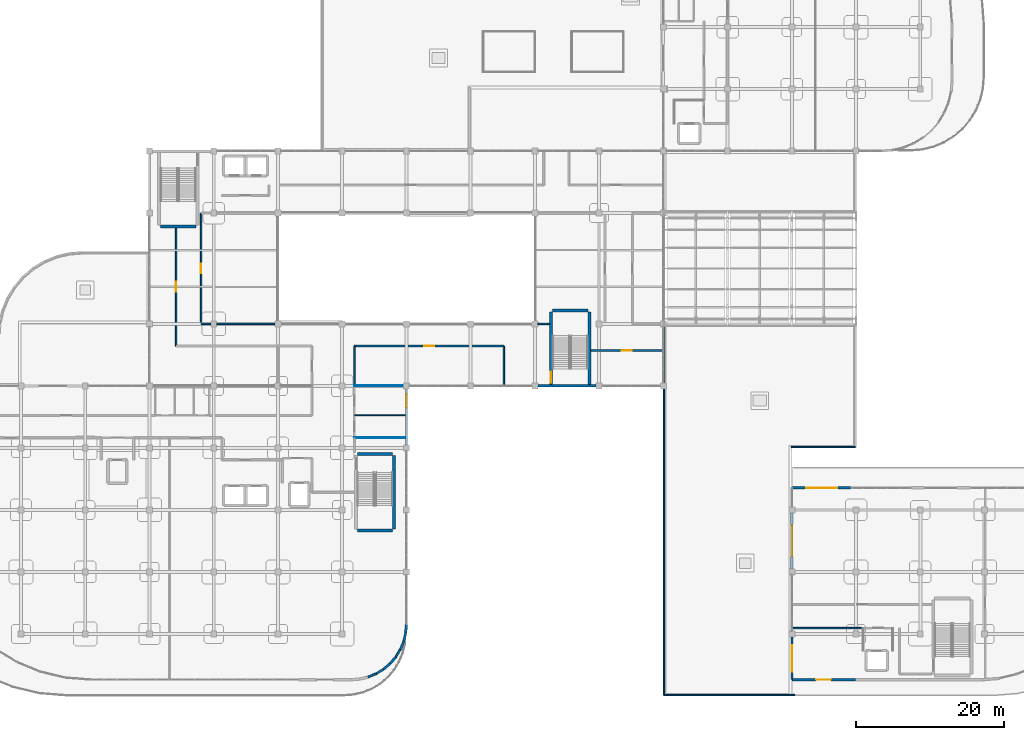
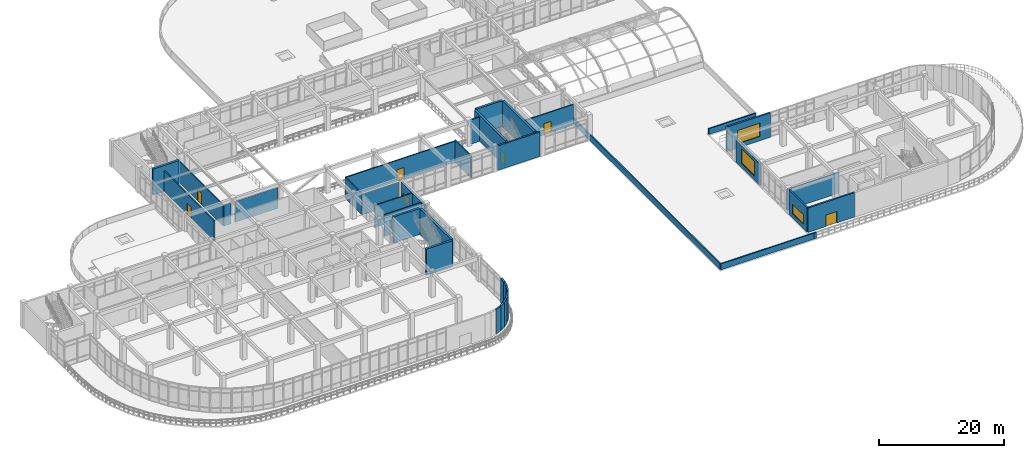
# One storey, part 106 of 124: 38 walls, 6 doors, 4 windows, 10 openings.
"""IFC4 building model written with IfcOpenShell, lengths in metres."""

from ifc_helpers import new_model, si_unit, derived_unit, direction, frame, frame_2d, origin, place, context, subcontext, project, spatial, rectangle, extrude, material, layer, layer_set, type_object, element, fill, save


model = new_model("IFC4")

# Units and contexts
model_context = context("Model", 3, precision=1e-05, world=origin(), true_north=direction((0.0, 1.0)))
body_context = subcontext(model_context, "Body", "Model", "MODEL_VIEW")
ifc_project = project(units=[si_unit("LENGTHUNIT", "METRE"), si_unit("AREAUNIT", "SQUARE_METRE"), si_unit("VOLUMEUNIT", "CUBIC_METRE"), si_unit("PLANEANGLEUNIT", "RADIAN"), si_unit("MASSUNIT", "GRAM", prefix="KILO"), derived_unit("THERMALTRANSMITTANCEUNIT", [(si_unit("MASSUNIT", "GRAM", prefix="KILO"), 1), (si_unit("TIMEUNIT", "SECOND"), -3), (si_unit("THERMODYNAMICTEMPERATUREUNIT", "KELVIN"), -1)])], contexts=[model_context])

# Site, building, storey
site_placement = place(None, origin())
site = spatial("IfcSite", under=ifc_project, at=site_placement, CompositionType="ELEMENT")
building_placement = place(site_placement, origin())
building = spatial("IfcBuilding", under=site, at=building_placement, Name="Qinzheling Arcade Emporium", CompositionType="ELEMENT")
storey_placement = place(building_placement, frame((0.0, 0.0, 16.5)))
storey = spatial("IfcBuildingStorey", under=building, at=storey_placement, Name="L04", CompositionType="ELEMENT", Elevation=16.5)

# Wall
ifc_material_1 = material(Name="Double-stud acoustic gypsum board partition")
ifc_layer_1 = layer(ifc_material_1, 0.215087890625, Name="Double-stud acoustic gypsum board partition")
ifc_layer_set_1 = layer_set([ifc_layer_1], Name="Double-stud acoustic gypsum board partition")
wall_type_1 = type_object("IfcWallType", Name="Acoustic Corridor Partition Wall 215", PredefinedType="PARTITIONING", material=ifc_layer_set_1)
wall_1_placement = place(storey_placement, frame((131.5, 9.199951171875, 0.0), z_axis=(0.0, 0.0, 1.0), x_axis=(-1.0, 0.0, 0.0)))
element("IfcWall", 1, at=wall_1_placement, inside=storey, type_object=wall_type_1, Name="Interior Wall WL-L04-INT-0622", PredefinedType="PARTITIONING", context=body_context, shape_type="SweptSolid", body=[
    extrude(rectangle(XDim=9.60009765625, YDim=0.215087890625, at=frame_2d((4.800048828125, 0.0))), origin(), (0.0, 0.0, 1.0), 4.044921875),
])

# Wall, opening, door
wall_2_placement = place(storey_placement, frame((38.39990234375, 47.39990234375, 0.0), z_axis=(0.0, 0.0, 1.0), x_axis=(0.0, 1.0, 0.0)))
wall_2 = element("IfcWall", 2, at=wall_2_placement, inside=storey, type_object=wall_type_1, Name="Interior Wall WL-L04-INT-0652", PredefinedType="PARTITIONING", context=body_context, shape_type="SweptSolid", body=[
    extrude(rectangle(XDim=15.9951171875, YDim=0.215087890625, at=frame_2d((7.99755859375, 0.0))), origin(), (0.0, 0.0, 1.0), 4.06005859375),
])
opening_1_placement = place(wall_2_placement, frame((7.322998046875, 0.0, 0.0)))
opening_1 = element("IfcOpeningElement", 3, at=opening_1_placement, cuts=wall_2, Name="Opening FD05", PredefinedType="OPENING", context=body_context, shape_type="SweptSolid", body=[
    extrude(rectangle(XDim=1.35009765625, YDim=2.199951171875, at=frame_2d((0.675048828125, 1.10009765625))), frame((0.0, 0.11767578125, 0.0), z_axis=(0.0, -1.0, 0.0), x_axis=(1.0, 0.0, 0.0)), (0.0, 0.0, 1.0), 0.235107421875),
])
ifc_material_2 = material(Name="Class B fire-rated stainless-clad door")
door_type_1 = type_object("IfcDoorType", Name="Kitchen Fire-Rated Service Door 1350x2200", OperationType="NOTDEFINED", PredefinedType="DOOR", material=ifc_material_2)
door_1_placement = place(opening_1_placement, origin())
door_1 = element("IfcDoor", 4, at=door_1_placement, inside=storey, type_object=door_type_1, Name="FD05 Interior Door DR-L04-INT-0179", OperationType="SINGLE_SWING_RIGHT", OverallHeight=2.199951171875, OverallWidth=1.35009765625, PredefinedType="DOOR", context=body_context, shape_type="SweptSolid", body=[
    extrude(rectangle(XDim=1.35009765625, YDim=2.199951171875, at=frame_2d((0.675048828125, 1.10009765625))), frame((0.0, 0.02490234375, 0.0), z_axis=(0.0, -1.0, 0.0), x_axis=(1.0, 0.0, 0.0)), (0.0, 0.0, 1.0), 0.050048828125),
])
fill(opening_1, door_1)

wall_3_placement = place(storey_placement, frame((41.800048828125, 65.39990234375, 0.0), z_axis=(0.0, 0.0, 1.0), x_axis=(0.0, -1.0, 0.0)))
wall_3 = element("IfcWall", 5, at=wall_3_placement, inside=storey, type_object=wall_type_1, Name="Interior Wall WL-L04-INT-0655", PredefinedType="PARTITIONING", context=body_context, shape_type="SweptSolid", body=[
    extrude(rectangle(XDim=15.0, YDim=0.215087890625, at=frame_2d((7.5, 0.0))), origin(), (0.0, 0.0, 1.0), 4.06005859375),
])
opening_2_placement = place(wall_3_placement, frame((6.824951171875, 0.0, 0.0)))
opening_2 = element("IfcOpeningElement", 6, at=opening_2_placement, cuts=wall_3, Name="Opening FD05", PredefinedType="OPENING", context=body_context, shape_type="SweptSolid", body=[
    extrude(rectangle(XDim=1.35009765625, YDim=2.199951171875, at=frame_2d((0.675048828125, 1.10009765625))), frame((0.0, 0.11767578125, 0.0), z_axis=(0.0, -1.0, 0.0), x_axis=(1.0, 0.0, 0.0)), (0.0, 0.0, 1.0), 0.235107421875),
])
door_2_placement = place(opening_2_placement, origin())
door_2 = element("IfcDoor", 7, at=door_2_placement, inside=storey, type_object=door_type_1, Name="FD05 Interior Door DR-L04-INT-0180", OperationType="SINGLE_SWING_LEFT", OverallHeight=2.199951171875, OverallWidth=1.35009765625, PredefinedType="DOOR", context=body_context, shape_type="SweptSolid", body=[
    extrude(rectangle(XDim=1.35009765625, YDim=2.199951171875, at=frame_2d((0.675048828125, 1.10009765625))), frame((0.0, 0.02490234375, 0.0), z_axis=(0.0, -1.0, 0.0), x_axis=(1.0, 0.0, 0.0)), (0.0, 0.0, 1.0), 0.050048828125),
])
fill(opening_2, door_2)

# Walls
wall_4_placement = place(storey_placement, frame((41.800048828125, 50.39990234375, 0.0), z_axis=(0.0, 0.0, 1.0), x_axis=(1.0, 0.0, 0.0)))
element("IfcWall", 8, at=wall_4_placement, inside=storey, type_object=wall_type_1, Name="Interior Wall WL-L04-INT-0656", PredefinedType="PARTITIONING", context=body_context, shape_type="SweptSolid", body=[
    extrude(rectangle(XDim=1.2900390625, YDim=0.215087890625, at=frame_2d((0.64501953125, 0.0))), origin(), (0.0, 0.0, 1.0), 4.06005859375),
])
wall_5_placement = place(storey_placement, frame((43.909912109375, 50.39990234375, 0.0), z_axis=(0.0, 0.0, 1.0), x_axis=(1.0, 0.0, 0.0)))
element("IfcWall", 9, at=wall_5_placement, inside=storey, type_object=wall_type_1, Name="Interior Wall WL-L04-INT-0657", PredefinedType="PARTITIONING", context=body_context, shape_type="SweptSolid", body=[
    extrude(rectangle(XDim=7.880126953125, YDim=0.215087890625, at=frame_2d((3.93994140625, 0.0))), origin(), (0.0, 0.0, 1.0), 4.06005859375),
])

# Wall, opening, door
wall_6_placement = place(storey_placement, frame((104.300048828125, 46.800048828125, 0.0), z_axis=(0.0, 0.0, 1.0), x_axis=(-1.0, 0.0, 0.0)))
wall_6 = element("IfcWall", 10, at=wall_6_placement, inside=storey, type_object=wall_type_1, Name="Interior Wall WL-L04-INT-0658", PredefinedType="PARTITIONING", context=body_context, shape_type="SweptSolid", body=[
    extrude(rectangle(XDim=9.705078125, YDim=0.215087890625, at=frame_2d((4.8525390625, 0.0))), origin(), (0.0, 0.0, 1.0), 4.06005859375),
])
opening_3_placement = place(wall_6_placement, frame((4.177001953125, 0.0, 0.0)))
opening_3 = element("IfcOpeningElement", 11, at=opening_3_placement, cuts=wall_6, Name="Opening FD05", PredefinedType="OPENING", context=body_context, shape_type="SweptSolid", body=[
    extrude(rectangle(XDim=1.35009765625, YDim=2.199951171875, at=frame_2d((0.675048828125, 1.10009765625))), frame((0.0, 0.11767578125, 0.0), z_axis=(0.0, -1.0, 0.0), x_axis=(1.0, 0.0, 0.0)), (0.0, 0.0, 1.0), 0.235107421875),
])
door_3_placement = place(opening_3_placement, origin())
door_3 = element("IfcDoor", 12, at=door_3_placement, inside=storey, type_object=door_type_1, Name="FD05 Interior Door DR-L04-INT-0181", OperationType="SINGLE_SWING_RIGHT", OverallHeight=2.199951171875, OverallWidth=1.35009765625, PredefinedType="DOOR", context=body_context, shape_type="SweptSolid", body=[
    extrude(rectangle(XDim=1.35009765625, YDim=2.199951171875, at=frame_2d((0.675048828125, 1.10009765625))), frame((0.0, 0.02490234375, 0.0), z_axis=(0.0, -1.0, 0.0), x_axis=(1.0, 0.0, 0.0)), (0.0, 0.0, 1.0), 0.050048828125),
])
fill(opening_3, door_3)

# Wall
wall_7_placement = place(storey_placement, frame((82.800048828125, 42.10009765625, 0.0), z_axis=(0.0, 0.0, 1.0), x_axis=(0.0, 1.0, 0.0)))
element("IfcWall", 13, at=wall_7_placement, inside=storey, type_object=wall_type_1, Name="Interior Wall WL-L04-INT-0659", PredefinedType="PARTITIONING", context=body_context, shape_type="SweptSolid", body=[
    extrude(rectangle(XDim=5.2998046875, YDim=0.215087890625, at=frame_2d((2.64990234375, 0.0))), origin(), (0.0, 0.0, 1.0), 4.260009765625),
])

# Wall, opening, door
wall_8_placement = place(storey_placement, frame((82.800048828125, 47.39990234375, 0.0), z_axis=(0.0, 0.0, 1.0), x_axis=(-1.0, 0.0, 0.0)))
wall_8 = element("IfcWall", 14, at=wall_8_placement, inside=storey, type_object=wall_type_1, Name="Interior Wall WL-L04-INT-0660", PredefinedType="PARTITIONING", context=body_context, shape_type="SweptSolid", body=[
    extrude(rectangle(XDim=20.25, YDim=0.215087890625, at=frame_2d((10.125, 0.0))), origin(), (0.0, 0.0, 1.0), 4.06005859375),
])
opening_4_placement = place(wall_8_placement, frame((9.449951171875, 0.0, 0.0)))
opening_4 = element("IfcOpeningElement", 15, at=opening_4_placement, cuts=wall_8, Name="Opening FD05", PredefinedType="OPENING", context=body_context, shape_type="SweptSolid", body=[
    extrude(rectangle(XDim=1.35009765625, YDim=2.199951171875, at=frame_2d((0.675048828125, 1.10009765625))), frame((0.0, 0.11767578125, 0.0), z_axis=(0.0, -1.0, 0.0), x_axis=(1.0, 0.0, 0.0)), (0.0, 0.0, 1.0), 0.235107421875),
])
door_4_placement = place(opening_4_placement, origin())
door_4 = element("IfcDoor", 16, at=door_4_placement, inside=storey, type_object=door_type_1, Name="FD05 Interior Door DR-L04-INT-0182", OperationType="SINGLE_SWING_LEFT", OverallHeight=2.199951171875, OverallWidth=1.35009765625, PredefinedType="DOOR", context=body_context, shape_type="SweptSolid", body=[
    extrude(rectangle(XDim=1.35009765625, YDim=2.199951171875, at=frame_2d((0.675048828125, 1.10009765625))), frame((0.0, 0.02490234375, 0.0), z_axis=(0.0, -1.0, 0.0), x_axis=(1.0, 0.0, 0.0)), (0.0, 0.0, 1.0), 0.050048828125),
])
fill(opening_4, door_4)

# Walls
wall_9_placement = place(storey_placement, frame((62.550048828125, 47.39990234375, 0.0), z_axis=(0.0, 0.0, 1.0), x_axis=(0.0, -1.0, 0.0)))
element("IfcWall", 17, at=wall_9_placement, inside=storey, type_object=wall_type_1, Name="Interior Wall WL-L04-INT-0661", PredefinedType="PARTITIONING", context=body_context, shape_type="SweptSolid", body=[
    extrude(rectangle(XDim=5.39990234375, YDim=0.215087890625, at=frame_2d((2.699951171875, 0.0))), origin(), (0.0, 0.0, 1.0), 4.06005859375),
])
wall_10_placement = place(storey_placement, frame((87.409912109375, 50.39990234375, 0.0), z_axis=(0.0, 0.0, 1.0), x_axis=(1.0, 0.0, 0.0)))
element("IfcWall", 18, at=wall_10_placement, inside=storey, type_object=wall_type_1, Name="Interior Wall WL-L04-INT-0671", PredefinedType="PARTITIONING", context=body_context, shape_type="SweptSolid", body=[
    extrude(rectangle(XDim=1.585205078125, YDim=0.215087890625, at=frame_2d((0.79248046875, 0.0))), origin(), (0.0, 0.0, 1.0), 4.760009765625),
])

# Wall, opening, window
ifc_material_3 = material(Name="Insulated aluminium-clad spandrel wall", Category="aluminium")
ifc_layer_2 = layer(ifc_material_3, 0.260009765625, Name="Insulated aluminium-clad spandrel wall", Category="aluminium")
ifc_layer_set_2 = layer_set([ifc_layer_2], Name="Insulated aluminium-clad spandrel wall")
wall_type_2 = type_object("IfcWallType", Name="Arcade Clerestory Spandrel Wall 260", PredefinedType="STANDARD", material=ifc_layer_set_2)
wall_11_placement = place(storey_placement, frame((121.800048828125, 2.199951171875, 0.0), z_axis=(0.0, 0.0, 1.0), x_axis=(0.0, 1.0, 0.0)))
wall_11 = element("IfcWall", 19, at=wall_11_placement, inside=storey, type_object=wall_type_2, Name="Exterior Wall WL-L04-EW-0216", PredefinedType="STANDARD", context=body_context, shape_type="SweptSolid", body=[
    extrude(rectangle(XDim=5.798095703125, YDim=0.260009765625, at=frame_2d((2.89892578125, 0.0))), origin(), (0.0, 0.0, 1.0), 4.7900390625),
])
opening_5_placement = place(wall_11_placement, frame((1.09912109375, 0.0, 0.85009765625)))
opening_5 = element("IfcOpeningElement", 20, at=opening_5_placement, cuts=wall_11, Name="Opening WN28", PredefinedType="OPENING", context=body_context, shape_type="SweptSolid", body=[
    extrude(rectangle(XDim=3.60009765625, YDim=1.85009765625, at=frame_2d((1.800048828125, 0.925048828125))), frame((0.0, 0.14013671875, 0.0), z_axis=(0.0, -1.0, 0.0), x_axis=(1.0, 0.0, 0.0)), (0.0, 0.0, 1.0), 0.280029296875),
])
ifc_material_4 = material(Name="Thermally broken aluminium frame with solar-control double glazing", Category="aluminium")
window_type_1 = type_object("IfcWindowType", Name="Chicago Tripartite Window 3600x1850", PartitioningType="TRIPLE_PANEL_VERTICAL", PredefinedType="WINDOW", material=ifc_material_4)
window_1_placement = place(opening_5_placement, origin())
window_1 = element("IfcWindow", 21, at=window_1_placement, inside=storey, type_object=window_type_1, Name="WN28 Window WN-L04-0057", OverallHeight=1.85009765625, OverallWidth=3.60009765625, PartitioningType="TRIPLE_PANEL_VERTICAL", PredefinedType="WINDOW", context=body_context, shape_type="SweptSolid", body=[
    extrude(rectangle(XDim=3.60009765625, YDim=1.85009765625, at=frame_2d((1.800048828125, 0.925048828125))), frame((0.0, 0.030029296875, 0.0), z_axis=(0.0, -1.0, 0.0), x_axis=(1.0, 0.0, 0.0)), (0.0, 0.0, 1.0), 0.06005859375),
])
fill(opening_5, window_1)

# Walls
for number, where, z_axis, x_axis, name in (
    (22, (68.782958984375, 6.294921875, 0.0), (0.0, 0.0, 1.0), (-0.522742095508, -0.852490880646, 0.0), "Exterior Wall WL-L04-EW-0224"),
    (23, (65.5048828125, 3.01708984375, 0.0), (0.0, 0.0, 1.0), (-0.923885312463, -0.382669478028, 0.0), "Exterior Wall WL-L04-EW-0228"),
):
    element("IfcWall", number, at=place(storey_placement, frame(where, z_axis=z_axis, x_axis=x_axis)), inside=storey, type_object=wall_type_2, Name=name, PredefinedType="STANDARD", context=body_context, shape_type="SweptSolid", body=[
        extrude(rectangle(XDim=1.176513671875, YDim=0.260009765625, at=frame_2d((0.58837890625, 0.0))), origin(), (0.0, 0.0, 1.0), 4.7900390625),
    ])
ifc_material_5 = material(Name="Lightweight atelier partition")
ifc_layer_3 = layer(ifc_material_5, 0.14990234375, Name="Lightweight atelier partition")
ifc_layer_set_3 = layer_set([ifc_layer_3], Name="Lightweight atelier partition")
wall_type_3 = type_object("IfcWallType", Name="Atelier Partition Wall 150", PredefinedType="PARTITIONING", material=ifc_layer_set_3)
wall_12_placement = place(storey_placement, frame((69.445068359375, 38.0, 0.0), z_axis=(0.0, 0.0, 1.0), x_axis=(-1.0, 0.0, 0.0)))
element("IfcWall", 24, at=wall_12_placement, inside=storey, type_object=wall_type_3, Name="Interior Wall WL-L04-INT-0676", PredefinedType="PARTITIONING", context=body_context, shape_type="SweptSolid", body=[
    extrude(rectangle(XDim=6.89501953125, YDim=0.14990234375, at=frame_2d((3.447509765625, 0.0))), origin(), (0.0, 0.0, 1.0), 4.260009765625),
])
ifc_material_6 = material(Name="Galvanised stud back-of-house partition")
ifc_layer_4 = layer(ifc_material_6, 0.1201171875, Name="Galvanised stud back-of-house partition")
ifc_layer_set_4 = layer_set([ifc_layer_4], Name="Galvanised stud back-of-house partition")
wall_type_4 = type_object("IfcWallType", Name="Back-of-House Partition Wall 120", PredefinedType="PARTITIONING", material=ifc_layer_set_4)
wall_13_placement = place(storey_placement, frame((62.550048828125, 42.0, 0.0), z_axis=(0.0, 0.0, 1.0), x_axis=(1.0, 0.0, 0.0)))
element("IfcWall", 25, at=wall_13_placement, inside=storey, type_object=wall_type_4, Name="Interior Wall WL-L04-INT-0675", PredefinedType="PARTITIONING", context=body_context, shape_type="SweptSolid", body=[
    extrude(rectangle(XDim=6.639892578125, YDim=0.1201171875, at=frame_2d((3.31982421875, 0.0))), origin(), (0.0, 0.0, 1.0), 4.06005859375),
])
ifc_material_7 = material(Name="Glazed-transom steel-stud office partition", Category="steel")
ifc_layer_5 = layer(ifc_material_7, 0.135009765625, Name="Glazed-transom steel-stud office partition", Category="steel")
ifc_layer_set_5 = layer_set([ifc_layer_5], Name="Glazed-transom steel-stud office partition")
wall_type_5 = type_object("IfcWallType", Name="Buying Office Acoustic Partition Wall 135", PredefinedType="PARTITIONING", material=ifc_layer_set_5)
wall_14_placement = place(storey_placement, frame((62.550048828125, 35.0, 0.0), z_axis=(0.0, 0.0, 1.0), x_axis=(1.0, 0.0, 0.0)))
element("IfcWall", 26, at=wall_14_placement, inside=storey, type_object=wall_type_5, Name="Interior Wall WL-L04-INT-0681", PredefinedType="PARTITIONING", context=body_context, shape_type="SweptSolid", body=[
    extrude(rectangle(XDim=6.89501953125, YDim=0.135009765625, at=frame_2d((3.447509765625, 0.0))), origin(), (0.0, 0.0, 1.0), 4.260009765625),
])

# Wall, opening, window
ifc_material_8 = material(Name="Celadon glazed terracotta insulated spandrel", Category="masonry")
ifc_layer_6 = layer(ifc_material_8, 0.340087890625, Name="Celadon glazed terracotta insulated spandrel", Category="masonry")
ifc_layer_set_6 = layer_set([ifc_layer_6], Name="Celadon glazed terracotta insulated spandrel")
wall_type_6 = type_object("IfcWallType", Name="Celadon Spandrel Infill Wall 340", PredefinedType="STANDARD", material=ifc_layer_set_6)
wall_15_placement = place(storey_placement, frame((121.800048828125, 17.201904296875, 0.0), z_axis=(0.0, 0.0, 1.0), x_axis=(0.0, 1.0, 0.0)))
wall_15 = element("IfcWall", 27, at=wall_15_placement, inside=storey, type_object=wall_type_6, Name="Exterior Wall WL-L04-EW-0217", PredefinedType="STANDARD", context=body_context, shape_type="SweptSolid", body=[
    extrude(rectangle(XDim=7.59619140625, YDim=0.340087890625, at=frame_2d((3.798095703125, 0.0))), origin(), (0.0, 0.0, 1.0), 4.239990234375),
])
opening_6_placement = place(wall_15_placement, frame((1.697998046875, 0.0, 0.85009765625)))
opening_6 = element("IfcOpeningElement", 28, at=opening_6_placement, cuts=wall_15, Name="Opening WN09", PredefinedType="OPENING", context=body_context, shape_type="SweptSolid", body=[
    extrude(rectangle(XDim=4.199951171875, YDim=2.800048828125, at=frame_2d((2.10009765625, 1.39990234375))), frame((0.0, 0.18017578125, 0.0), z_axis=(0.0, -1.0, 0.0), x_axis=(1.0, 0.0, 0.0)), (0.0, 0.0, 1.0), 0.360107421875),
])
window_type_2 = type_object("IfcWindowType", Name="Chicago Tripartite Window 4200x2800", PartitioningType="TRIPLE_PANEL_VERTICAL", PredefinedType="WINDOW", material=ifc_material_4)
window_2_placement = place(opening_6_placement, origin())
window_2 = element("IfcWindow", 29, at=window_2_placement, inside=storey, type_object=window_type_2, Name="WN09 Window WN-L04-0058", OverallHeight=2.800048828125, OverallWidth=4.199951171875, PartitioningType="TRIPLE_PANEL_VERTICAL", PredefinedType="WINDOW", context=body_context, shape_type="SweptSolid", body=[
    extrude(rectangle(XDim=4.199951171875, YDim=2.800048828125, at=frame_2d((2.10009765625, 1.39990234375))), frame((0.0, 0.030029296875, 0.0), z_axis=(0.0, -1.0, 0.0), x_axis=(1.0, 0.0, 0.0)), (0.0, 0.0, 1.0), 0.06005859375),
])
fill(opening_6, window_2)

# Walls
wall_16_placement = place(storey_placement, frame((69.60009765625, 9.699951171875, 0.0), z_axis=(0.0, 0.0, 1.0), x_axis=(-0.078235731197, -0.996934887725, 0.0)))
element("IfcWall", 30, at=wall_16_placement, inside=storey, type_object=wall_type_6, Name="Exterior Wall WL-L04-EW-0221", PredefinedType="STANDARD", context=body_context, shape_type="SweptSolid", body=[
    extrude(rectangle(XDim=1.176513671875, YDim=0.340087890625, at=frame_2d((0.58837890625, 0.0))), origin(), (0.0, 0.0, 1.0), 4.7900390625),
])
wall_17_placement = place(storey_placement, frame((68.16796875, 5.2919921875, 0.0), z_axis=(0.0, 0.0, 1.0), x_axis=(-0.649680654867, -0.760207239305, 0.0)))
element("IfcWall", 31, at=wall_17_placement, inside=storey, type_object=wall_type_6, Name="Exterior Wall WL-L04-EW-0225", PredefinedType="STANDARD", context=body_context, shape_type="SweptSolid", body=[
    extrude(rectangle(XDim=1.17724609375, YDim=0.340087890625, at=frame_2d((0.588623046875, 0.0))), origin(), (0.0, 0.0, 1.0), 4.7900390625),
])

# Wall, opening, window
ifc_material_9 = material(Name="Glazed cream terracotta insulated wall", Category="masonry")
ifc_layer_7 = layer(ifc_material_9, 0.320068359375, Name="Glazed cream terracotta insulated wall", Category="masonry")
ifc_layer_set_7 = layer_set([ifc_layer_7], Name="Glazed cream terracotta insulated wall")
wall_type_7 = type_object("IfcWallType", Name="Chicago Frame Infill Wall 320", PredefinedType="STANDARD", material=ifc_layer_set_7)
wall_18_placement = place(storey_placement, frame((121.800048828125, 28.199951171875, 0.0), z_axis=(0.0, 0.0, 1.0), x_axis=(1.0, 0.0, 0.0)))
wall_18 = element("IfcWall", 32, at=wall_18_placement, inside=storey, type_object=wall_type_7, Name="Exterior Wall WL-L04-EW-0218", PredefinedType="STANDARD", context=body_context, shape_type="SweptSolid", body=[
    extrude(rectangle(XDim=8.072998046875, YDim=0.320068359375, at=frame_2d((4.03662109375, 0.0))), origin(), (0.0, 0.0, 1.0), 4.7900390625),
])
opening_7_placement = place(wall_18_placement, frame((1.93701171875, 0.0, 0.85009765625)))
opening_7 = element("IfcOpeningElement", 33, at=opening_7_placement, cuts=wall_18, Name="Opening WN10", PredefinedType="OPENING", context=body_context, shape_type="SweptSolid", body=[
    extrude(rectangle(XDim=4.199951171875, YDim=2.60009765625, at=frame_2d((2.10009765625, 1.300048828125))), frame((0.0, 0.169921875, 0.0), z_axis=(0.0, -1.0, 0.0), x_axis=(1.0, 0.0, 0.0)), (0.0, 0.0, 1.0), 0.340087890625),
])
window_type_3 = type_object("IfcWindowType", Name="Chicago Tripartite Window 4200x2600", PartitioningType="TRIPLE_PANEL_VERTICAL", PredefinedType="WINDOW", material=ifc_material_4)
window_3_placement = place(opening_7_placement, origin())
window_3 = element("IfcWindow", 34, at=window_3_placement, inside=storey, type_object=window_type_3, Name="WN10 Window WN-L04-0059", OverallHeight=2.60009765625, OverallWidth=4.199951171875, PartitioningType="TRIPLE_PANEL_VERTICAL", PredefinedType="WINDOW", context=body_context, shape_type="SweptSolid", body=[
    extrude(rectangle(XDim=4.199951171875, YDim=2.60009765625, at=frame_2d((2.10009765625, 1.300048828125))), frame((0.0, 0.030029296875, 0.0), z_axis=(0.0, -1.0, 0.0), x_axis=(1.0, 0.0, 0.0)), (0.0, 0.0, 1.0), 0.06005859375),
])
fill(opening_7, window_3)

# Walls
wall_19_placement = place(storey_placement, frame((69.508056640625, 8.527099609375, 0.0), z_axis=(0.0, 0.0, 1.0), x_axis=(-0.233647380769, -0.972321398232, 0.0)))
element("IfcWall", 35, at=wall_19_placement, inside=storey, type_object=wall_type_7, Name="Exterior Wall WL-L04-EW-0222", PredefinedType="STANDARD", context=body_context, shape_type="SweptSolid", body=[
    extrude(rectangle(XDim=1.177734375, YDim=0.320068359375, at=frame_2d((0.5888671875, 0.0))), origin(), (0.0, 0.0, 1.0), 4.7900390625),
])
wall_20_placement = place(storey_placement, frame((67.403076171875, 4.39697265625, 0.0), z_axis=(0.0, 0.0, 1.0), x_axis=(-0.760207239305, -0.649680654867, 0.0)))
element("IfcWall", 36, at=wall_20_placement, inside=storey, type_object=wall_type_7, Name="Exterior Wall WL-L04-EW-0226", PredefinedType="STANDARD", context=body_context, shape_type="SweptSolid", body=[
    extrude(rectangle(XDim=1.17724609375, YDim=0.320068359375, at=frame_2d((0.588623046875, 0.0))), origin(), (0.0, 0.0, 1.0), 4.7900390625),
])
wall_21_placement = place(storey_placement, frame((95.298095703125, 42.0, 0.0), z_axis=(0.0, 0.0, 1.0), x_axis=(-1.0, 0.0, 0.0)))
element("IfcWall", 37, at=wall_21_placement, inside=storey, type_object=wall_type_7, Name="Exterior Wall WL-L04-EW-0238", PredefinedType="STANDARD", context=body_context, shape_type="SweptSolid", body=[
    extrude(rectangle(XDim=7.89599609375, YDim=0.320068359375, at=frame_2d((3.947998046875, 0.0))), origin(), (0.0, 0.0, 1.0), 4.7900390625),
])
ifc_material_10 = material(Name="Concrete C50", Category="concrete")
ifc_layer_8 = layer(ifc_material_10, 0.39990234375, Name="Concrete C50", Category="concrete")
ifc_layer_set_8 = layer_set([ifc_layer_8], Name="Concrete C50")
wall_type_8 = type_object("IfcWallType", Name="RC Stair Core Shear Wall 400 C50", PredefinedType="SHEAR", material=ifc_layer_set_8)
wall_22_placement = place(storey_placement, frame((67.93994140625, 32.60009765625, 0.0), z_axis=(0.0, 0.0, 1.0), x_axis=(0.0, -1.0, 0.0)))
element("IfcWall", 38, at=wall_22_placement, inside=storey, type_object=wall_type_8, Name="Stair Core Wall WL-L04-ST01-EAST", PredefinedType="SHEAR", context=body_context, shape_type="SweptSolid", body=[
    extrude(rectangle(XDim=10.0, YDim=0.39990234375, at=frame_2d((5.0, 0.0))), origin(), (0.0, 0.0, 1.0), 5.10009765625),
])
for number, where, z_axis, x_axis, name in (
    (39, (67.739990234375, 22.39990234375, 0.0), (0.0, 0.0, 1.0), (-1.0, 0.0, 0.0), "Stair Core Wall WL-L04-ST01-SOUTH"),
    (40, (62.949951171875, 32.800048828125, 0.0), (0.0, 0.0, 1.0), (1.0, 0.0, 0.0), "Stair Core Wall WL-L04-ST01-NORTH"),
    (41, (41.090087890625, 63.60009765625, 0.0), (0.0, 0.0, 1.0), (-1.0, 0.0, 0.0), "Stair Core Wall WL-L04-ST03-SOUTH"),
):
    element("IfcWall", number, at=place(storey_placement, frame(where, z_axis=z_axis, x_axis=x_axis)), inside=storey, type_object=wall_type_8, Name=name, PredefinedType="SHEAR", context=body_context, shape_type="SweptSolid", body=[
        extrude(rectangle(XDim=4.7900390625, YDim=0.39990234375, at=frame_2d((2.39501953125, 0.0))), origin(), (0.0, 0.0, 1.0), 5.10009765625),
    ])

# Wall, opening, door
wall_23_placement = place(storey_placement, frame((89.199951171875, 42.0, 0.0), z_axis=(0.0, 0.0, 1.0), x_axis=(0.0, 1.0, 0.0)))
wall_23 = element("IfcWall", 42, at=wall_23_placement, inside=storey, type_object=wall_type_8, Name="Stair Core Wall WL-L04-ST04-WEST", PredefinedType="SHEAR", context=body_context, shape_type="SweptSolid", body=[
    extrude(rectangle(XDim=10.0, YDim=0.39990234375, at=frame_2d((5.0, 0.0))), origin(), (0.0, 0.0, 1.0), 5.10009765625),
])
opening_8_placement = place(wall_23_placement, frame((0.409912109375, 0.0, 0.0)))
opening_8 = element("IfcOpeningElement", 43, at=opening_8_placement, cuts=wall_23, Name="Opening FD01", PredefinedType="OPENING", context=body_context, shape_type="SweptSolid", body=[
    extrude(rectangle(XDim=1.5, YDim=2.199951171875, at=frame_2d((0.75, 1.10009765625))), frame((0.0, 0.2099609375, 0.0), z_axis=(0.0, -1.0, 0.0), x_axis=(1.0, 0.0, 0.0)), (0.0, 0.0, 1.0), 0.419921875),
])
ifc_material_11 = material(Name="Class A fire-rated steel double door", Category="steel")
door_type_2 = type_object("IfcDoorType", Name="Stairwell Smoke-Proof Fire Door 1500x2200", OperationType="DOUBLE_DOOR_SINGLE_SWING", PredefinedType="DOOR", material=ifc_material_11)
door_5_placement = place(opening_8_placement, origin())
door_5 = element("IfcDoor", 44, at=door_5_placement, inside=storey, type_object=door_type_2, Name="FD01 Stairwell Fire Door DR-L04-ST04-FD", OperationType="DOUBLE_DOOR_SINGLE_SWING", OverallHeight=2.199951171875, OverallWidth=1.5, PredefinedType="DOOR", context=body_context, shape_type="SweptSolid", body=[
    extrude(rectangle(XDim=1.5, YDim=2.199951171875, at=frame_2d((0.75, 1.10009765625))), frame((0.0, 0.02490234375, 0.0), z_axis=(0.0, -1.0, 0.0), x_axis=(1.0, 0.0, 0.0)), (0.0, 0.0, 1.0), 0.050048828125),
])
fill(opening_8, door_5)

# Walls
wall_24_placement = place(storey_placement, frame((94.389892578125, 52.0, 0.0), z_axis=(0.0, 0.0, 1.0), x_axis=(0.0, -1.0, 0.0)))
element("IfcWall", 45, at=wall_24_placement, inside=storey, type_object=wall_type_8, Name="Stair Core Wall WL-L04-ST04-EAST", PredefinedType="SHEAR", context=body_context, shape_type="SweptSolid", body=[
    extrude(rectangle(XDim=10.0, YDim=0.39990234375, at=frame_2d((5.0, 0.0))), origin(), (0.0, 0.0, 1.0), 5.10009765625),
])
wall_25_placement = place(storey_placement, frame((89.39990234375, 52.199951171875, 0.0), z_axis=(0.0, 0.0, 1.0), x_axis=(1.0, 0.0, 0.0)))
element("IfcWall", 46, at=wall_25_placement, inside=storey, type_object=wall_type_8, Name="Stair Core Wall WL-L04-ST04-NORTH", PredefinedType="SHEAR", context=body_context, shape_type="SweptSolid", body=[
    extrude(rectangle(XDim=4.7900390625, YDim=0.39990234375, at=frame_2d((2.39501953125, 0.0))), origin(), (0.0, 0.0, 1.0), 5.10009765625),
])

# Wall, opening, door
ifc_layer_9 = layer(ifc_material_9, 0.300048828125, Name="Glazed cream terracotta insulated wall", Category="masonry")
ifc_layer_set_9 = layer_set([ifc_layer_9], Name="Glazed cream terracotta insulated wall")
wall_type_9 = type_object("IfcWallType", Name="Terrace Facade Infill Wall 300", PredefinedType="STANDARD", material=ifc_layer_set_9)
wall_26_placement = place(storey_placement, frame((130.39794921875, 2.199951171875, 0.0), z_axis=(0.0, 0.0, 1.0), x_axis=(-1.0, 0.0, 0.0)))
wall_26 = element("IfcWall", 47, at=wall_26_placement, inside=storey, type_object=wall_type_9, Name="Exterior Wall WL-L04-EW-0215", PredefinedType="STANDARD", context=body_context, shape_type="SweptSolid", body=[
    extrude(rectangle(XDim=8.597900390625, YDim=0.300048828125, at=frame_2d((4.298828125, 0.0))), origin(), (0.0, 0.0, 1.0), 4.7900390625),
])
opening_9_placement = place(wall_26_placement, frame((3.299072265625, 0.0, 0.0)))
opening_9 = element("IfcOpeningElement", 48, at=opening_9_placement, cuts=wall_26, Name="Opening TD02", PredefinedType="OPENING", context=body_context, shape_type="SweptSolid", body=[
    extrude(rectangle(XDim=2.0, YDim=2.25, at=frame_2d((1.0, 1.125))), frame((0.0, 0.16015625, 0.0), z_axis=(0.0, -1.0, 0.0), x_axis=(1.0, 0.0, 0.0)), (0.0, 0.0, 1.0), 0.320068359375),
])
ifc_material_12 = material(Name="Thermally broken aluminium and double glass", Category="aluminium")
door_type_3 = type_object("IfcDoorType", Name="Food Hall Terrace Double Door 2000x2250", OperationType="DOUBLE_DOOR_SINGLE_SWING", PredefinedType="DOOR", material=ifc_material_12)
door_6_placement = place(opening_9_placement, origin())
door_6 = element("IfcDoor", 49, at=door_6_placement, inside=storey, type_object=door_type_3, Name="TD02 Exterior Door DR-L04-EXT-033", OperationType="DOUBLE_DOOR_SINGLE_SWING", OverallHeight=2.25, OverallWidth=2.0, PredefinedType="DOOR", context=body_context, shape_type="SweptSolid", body=[
    extrude(rectangle(XDim=2.0, YDim=2.25, at=frame_2d((1.0, 1.125))), frame((0.0, 0.02490234375, 0.0), z_axis=(0.0, -1.0, 0.0), x_axis=(1.0, 0.0, 0.0)), (0.0, 0.0, 1.0), 0.050048828125),
])
fill(opening_9, door_6)

# Walls
wall_27_placement = place(storey_placement, frame((69.23291015625, 7.382080078125, 0.0), z_axis=(0.0, 0.0, 1.0), x_axis=(-0.382418991606, -0.923989023127, 0.0)))
element("IfcWall", 50, at=wall_27_placement, inside=storey, type_object=wall_type_9, Name="Exterior Wall WL-L04-EW-0223", PredefinedType="STANDARD", context=body_context, shape_type="SweptSolid", body=[
    extrude(rectangle(XDim=1.176513671875, YDim=0.300048828125, at=frame_2d((0.58837890625, 0.0))), origin(), (0.0, 0.0, 1.0), 4.7900390625),
])
wall_28_placement = place(storey_placement, frame((66.508056640625, 3.632080078125, 0.0), z_axis=(0.0, 0.0, 1.0), x_axis=(-0.852547572286, -0.522649631197, 0.0)))
element("IfcWall", 51, at=wall_28_placement, inside=storey, type_object=wall_type_9, Name="Exterior Wall WL-L04-EW-0227", PredefinedType="STANDARD", context=body_context, shape_type="SweptSolid", body=[
    extrude(rectangle(XDim=1.1767578125, YDim=0.300048828125, at=frame_2d((0.58837890625, 0.0))), origin(), (0.0, 0.0, 1.0), 4.7900390625),
])

# Wall, opening, window
wall_29_placement = place(storey_placement, frame((69.60009765625, 41.597900390625, 0.0), z_axis=(0.0, 0.0, 1.0), x_axis=(0.0, -1.0, 0.0)))
wall_29 = element("IfcWall", 52, at=wall_29_placement, inside=storey, type_object=wall_type_9, Name="Exterior Wall WL-L04-EW-0239", PredefinedType="STANDARD", context=body_context, shape_type="SweptSolid", body=[
    extrude(rectangle(XDim=7.595947265625, YDim=0.300048828125, at=frame_2d((3.7978515625, 0.0))), origin(), (0.0, 0.0, 1.0), 4.2548828125),
])
opening_10_placement = place(wall_29_placement, frame((0.7451171875, 0.0, 0.85009765625)))
opening_10 = element("IfcOpeningElement", 53, at=opening_10_placement, cuts=wall_29, Name="Opening WN62", PredefinedType="OPENING", context=body_context, shape_type="SweptSolid", body=[
    extrude(rectangle(XDim=1.800048828125, YDim=1.60009765625, at=frame_2d((0.89990234375, 0.800048828125))), frame((0.0, 0.16015625, 0.0), z_axis=(0.0, -1.0, 0.0), x_axis=(1.0, 0.0, 0.0)), (0.0, 0.0, 1.0), 0.320068359375),
])
window_type_4 = type_object("IfcWindowType", Name="Chicago Tripartite Window 1800x1600", PartitioningType="TRIPLE_PANEL_VERTICAL", PredefinedType="WINDOW", material=ifc_material_4)
window_4_placement = place(opening_10_placement, origin())
window_4 = element("IfcWindow", 54, at=window_4_placement, inside=storey, type_object=window_type_4, Name="WN62 Window WN-L04-0062", OverallHeight=1.60009765625, OverallWidth=1.800048828125, PartitioningType="TRIPLE_PANEL_VERTICAL", PredefinedType="WINDOW", context=body_context, shape_type="SweptSolid", body=[
    extrude(rectangle(XDim=1.800048828125, YDim=1.60009765625, at=frame_2d((0.89990234375, 0.800048828125))), frame((0.0, 0.030029296875, 0.0), z_axis=(0.0, -1.0, 0.0), x_axis=(1.0, 0.0, 0.0)), (0.0, 0.0, 1.0), 0.06005859375),
])
fill(opening_10, window_4)

# Walls
ifc_material_13 = material(Name="Precast concrete C40 with terracotta coping", Category="masonry")
ifc_layer_10 = layer(ifc_material_13, 0.219970703125, Name="Precast concrete C40 with terracotta coping", Category="masonry")
ifc_layer_set_10 = layer_set([ifc_layer_10], Name="Precast concrete C40 with terracotta coping")
wall_type_10 = type_object("IfcWallType", Name="Terracotta Coping Roof Parapet 220", PredefinedType="PARAPET", material=ifc_layer_set_10)
wall_30_placement = place(storey_placement, frame((121.68994140625, 0.110107421875, 0.0), z_axis=(0.0, 0.0, 1.0), x_axis=(-1.0, 0.0, 0.0)))
element("IfcWall", 55, at=wall_30_placement, inside=storey, type_object=wall_type_10, Name="Roof Parapet WL-L04-PW-027", PredefinedType="PARAPET", context=body_context, shape_type="SweptSolid", body=[
    extrude(rectangle(XDim=17.179931640625, YDim=0.219970703125, at=frame_2d((8.58984375, 0.0))), origin(), (0.0, 0.0, 1.0), 1.14990234375),
])
wall_31_placement = place(storey_placement, frame((104.510009765625, 0.110107421875, 0.0), z_axis=(0.0, 0.0, 1.0), x_axis=(0.0, 1.0, 0.0)))
element("IfcWall", 56, at=wall_31_placement, inside=storey, type_object=wall_type_10, Name="Roof Parapet WL-L04-PW-028", PredefinedType="PARAPET", context=body_context, shape_type="SweptSolid", body=[
    extrude(rectangle(XDim=50.179931640625, YDim=0.219970703125, at=frame_2d((25.08984375, 0.0))), origin(), (0.0, 0.0, 1.0), 1.14990234375),
])
wall_32_placement = place(storey_placement, frame((130.389892578125, 33.7099609375, 0.0), z_axis=(0.0, 0.0, 1.0), x_axis=(-1.0, 0.0, 0.0)))
element("IfcWall", 57, at=wall_32_placement, inside=storey, type_object=wall_type_10, Name="Roof Parapet WL-L04-PW-031", PredefinedType="PARAPET", context=body_context, shape_type="SweptSolid", body=[
    extrude(rectangle(XDim=8.699951171875, YDim=0.219970703125, at=frame_2d((4.35009765625, 0.0))), origin(), (0.0, 0.0, 1.0), 1.14990234375),
])
wall_33_placement = place(storey_placement, frame((121.68994140625, 0.110107421875, 0.0), z_axis=(0.0, 0.0, 1.0), x_axis=(1.0, 0.0, 0.0)))
element("IfcWall", 58, at=wall_33_placement, inside=storey, type_object=wall_type_10, Name="Roof Parapet WL-L04-PW-032", PredefinedType="PARAPET", context=body_context, shape_type="SweptSolid", body=[
    extrude(rectangle(XDim=0.489990234375, YDim=0.219970703125, at=frame_2d((0.2451171875, 0.0))), origin(), (0.0, 0.0, 1.0), 1.14990234375),
])

save(model, "model.ifc")
